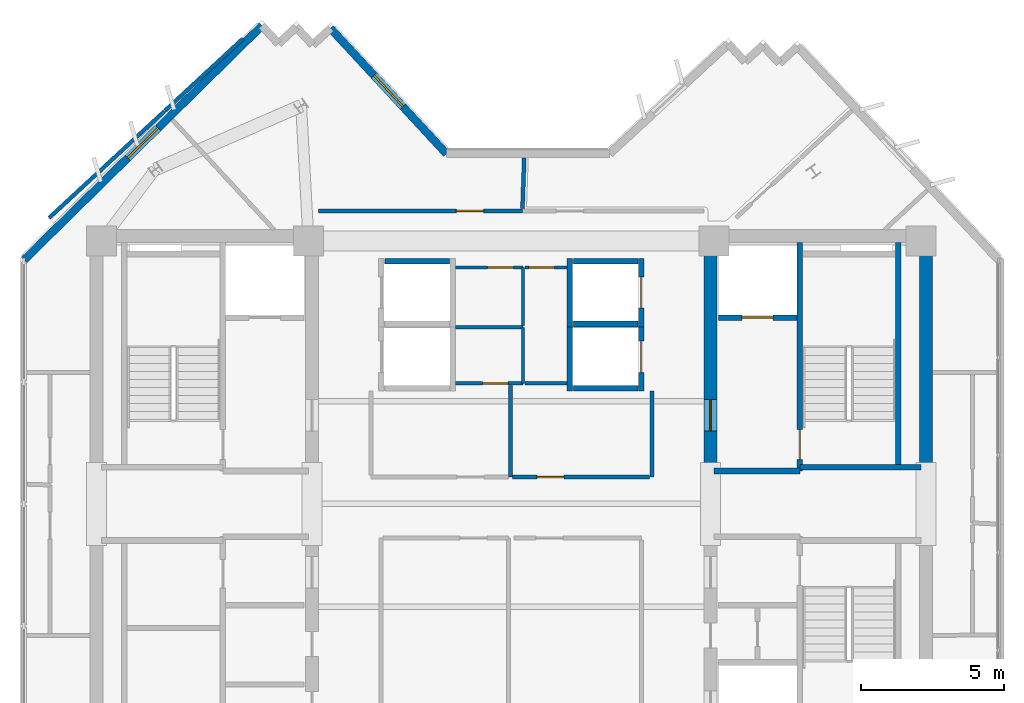
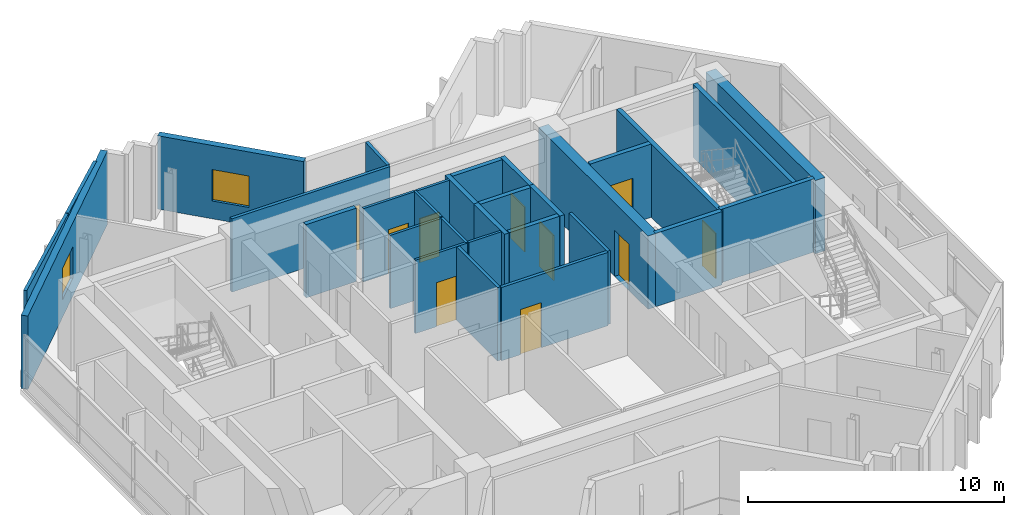
# One storey, part 6 of 9: 31 walls, 10 doors, 2 windows, 12 openings.
"""IFC4 building model written with IfcOpenShell, lengths in metres."""

from ifc_helpers import new_model, si_unit, direction, frame, frame_2d, origin, place, context, subcontext, project, spatial, rectangle, extrude, source, transform, mapped, material, layer, layer_set, type_object, element, fill, save


model = new_model("IFC4")

# Units and contexts
model_context = context("Model", 3, precision=1e-05, world=origin(), true_north=direction((0.0, 1.0)))
body_context = subcontext(model_context, "Body", "Model", "MODEL_VIEW")
ifc_project = project(units=[si_unit("LENGTHUNIT", "METRE"), si_unit("AREAUNIT", "SQUARE_METRE"), si_unit("VOLUMEUNIT", "CUBIC_METRE"), si_unit("PLANEANGLEUNIT", "RADIAN"), si_unit("MASSUNIT", "GRAM", prefix="KILO")], contexts=[model_context])

# Site, building, storey
site_placement = place(None, origin())
site = spatial("IfcSite", under=ifc_project, at=site_placement, CompositionType="ELEMENT")
building_placement = place(site_placement, origin())
building = spatial("IfcBuilding", under=site, at=building_placement, Name="Zahravan Cultural Tower", CompositionType="ELEMENT")
storey_placement = place(building_placement, frame((0.0, 0.0, 291.60009765625)))
storey = spatial("IfcBuildingStorey", under=building, at=storey_placement, Name="L70", CompositionType="ELEMENT", Elevation=291.60009765625)

# Wall, opening, door
ifc_material_1 = material(Name="Concrete C50/60", Category="concrete")
ifc_layer_1 = layer(ifc_material_1, 0.449951171875)
ifc_layer_set_1 = layer_set([ifc_layer_1], Name="Concrete C50/60")
wall_type_1 = type_object("IfcWallType", Name="CW-SHEAR-450-C50", PredefinedType="SHEAR", material=ifc_layer_set_1)
wall_1_placement = place(storey_placement, frame((42.97509765625, 28.050048828125, 0.0), z_axis=(0.0, 0.0, 1.0), x_axis=(0.0, 1.0, 0.0)))
wall_1 = element("IfcWall", 1, at=wall_1_placement, inside=storey, type_object=wall_type_1, Name="L70 Core Shear Wall CW-E-WN-L70", PredefinedType="SHEAR", context=body_context, shape_type="SweptSolid", body=[
    extrude(rectangle(XDim=8.550048828125, YDim=0.449951171875, at=frame_2d((4.27490234375, 0.0))), origin(), (0.0, 0.0, 1.0), 3.5),
])
opening_1_placement = place(wall_1_placement, frame((1.5, 0.0, 0.0)))
opening_1 = element("IfcOpeningElement", 2, at=opening_1_placement, cuts=wall_1, Name="Opening D-L70-07", PredefinedType="OPENING", context=body_context, shape_type="SweptSolid", body=[
    extrude(rectangle(XDim=1.10009765625, YDim=2.199951171875, at=frame_2d((0.550048828125, 1.10009765625))), frame((0.0, 0.23486328125, 0.0), z_axis=(0.0, -1.0, 0.0), x_axis=(1.0, 0.0, 0.0)), (0.0, 0.0, 1.0), 0.469970703125),
])
ifc_material_2 = material(Name="Steel ASTM A572 Grade 50", Category="steel")
door_type_1 = type_object("IfcDoorType", Name="DR-LOBBY-1100", OperationType="NOTDEFINED", PredefinedType="DOOR", material=ifc_material_2)
shared_shape_1 = source(origin(), body_context, "Body", "SweptSolid", [
    extrude(rectangle(XDim=1.10009765625, YDim=2.199951171875, at=frame_2d((0.550048828125, 1.10009765625))), frame((0.0, 0.02490234375, 0.0), z_axis=(0.0, -1.0, 0.0), x_axis=(1.0, 0.0, 0.0)), (0.0, 0.0, 1.0), 0.050048828125),
])
door_1_placement = place(opening_1_placement, origin())
door_1 = element("IfcDoor", 3, at=door_1_placement, inside=storey, type_object=door_type_1, Name="L70 Door D-L70-07", OperationType="SINGLE_SWING_RIGHT", OverallHeight=2.199951171875, OverallWidth=1.10009765625, PredefinedType="DOOR", context=body_context, shape_type="MappedRepresentation", body=[
    mapped(shared_shape_1, transform((0.0, 0.0, 0.0), x_axis=(1.0, 0.0, 0.0), y_axis=(0.0, 1.0, 0.0), z_axis=(0.0, 0.0, 1.0), scale=1.0)),
])
fill(opening_1, door_1)

# Wall, opening, window
ifc_material_3 = material(Name="Precast concrete C40/50", Category="concrete")
ifc_layer_2 = layer(ifc_material_3, 0.280029296875)
ifc_layer_set_2 = layer_set([ifc_layer_2], Name="Precast concrete C40/50")
wall_type_2 = type_object("IfcWallType", Name="EW-TC-280", PredefinedType="SOLIDWALL", material=ifc_layer_set_2)
wall_2_placement = place(storey_placement, frame((18.93994140625, 35.5419921875, 0.0), z_axis=(0.0, 0.0, 1.0), x_axis=(0.712557502542, 0.701613715353, 0.0)))
wall_2 = element("IfcWall", 4, at=wall_2_placement, inside=storey, type_object=wall_type_2, Name="L70 Exterior Masonry Frame Wall 20", PredefinedType="SOLIDWALL", context=body_context, shape_type="SweptSolid", body=[
    extrude(rectangle(XDim=11.689697265625, YDim=0.280029296875, at=frame_2d((5.8447265625, 0.0))), origin(), (0.0, 0.0, 1.0), 3.5),
])
opening_2_placement = place(wall_2_placement, frame((5.094970703125, 0.0, 0.85009765625)))
opening_2 = element("IfcOpeningElement", 5, at=opening_2_placement, cuts=wall_2, Name="Opening WN-03", PredefinedType="OPENING", context=body_context, shape_type="SweptSolid", body=[
    extrude(rectangle(XDim=1.5, YDim=1.5, at=frame_2d((0.75, 0.75))), frame((0.0, 0.14990234375, 0.0), z_axis=(0.0, -1.0, 0.0), x_axis=(1.0, 0.0, 0.0)), (0.0, 0.0, 1.0), 0.300048828125),
])
ifc_material_4 = material(Name="Low-E solar-control double glazing", Category="glass")
window_type = type_object("IfcWindowType", Name="WN-REC-1500X1500", PartitioningType="SINGLE_PANEL", PredefinedType="WINDOW", material=ifc_material_4)
shared_shape_2 = source(origin(), body_context, "Body", "SweptSolid", [
    extrude(rectangle(XDim=1.5, YDim=1.5, at=frame_2d((0.75, 0.75))), frame((0.0, 0.030029296875, 0.0), z_axis=(0.0, -1.0, 0.0), x_axis=(1.0, 0.0, 0.0)), (0.0, 0.0, 1.0), 0.06005859375),
])
window_1_placement = place(opening_2_placement, origin())
window_1 = element("IfcWindow", 6, at=window_1_placement, inside=storey, type_object=window_type, Name="L70 Recessed Solar Window 04", OverallHeight=1.5, OverallWidth=1.5, PartitioningType="SINGLE_PANEL", PredefinedType="WINDOW", context=body_context, shape_type="MappedRepresentation", body=[
    mapped(shared_shape_2, transform((0.0, 0.0, 0.0), x_axis=(1.0, 0.0, 0.0), y_axis=(0.0, 1.0, 0.0), z_axis=(0.0, 0.0, 1.0), scale=1.0)),
])
fill(opening_2, window_1)

wall_3_placement = place(storey_placement, frame((29.672119140625, 43.64990234375, 0.0), z_axis=(0.0, 0.0, 1.0), x_axis=(0.679010627727, -0.734128440693, 0.0)))
wall_3 = element("IfcWall", 7, at=wall_3_placement, inside=storey, type_object=wall_type_2, Name="L70 Exterior Masonry Frame Wall 25", PredefinedType="SOLIDWALL", context=body_context, shape_type="SweptSolid", body=[
    extrude(rectangle(XDim=5.979736328125, YDim=0.280029296875, at=frame_2d((2.98974609375, 0.0))), origin(), (0.0, 0.0, 1.0), 3.5),
])
opening_3_placement = place(wall_3_placement, frame((2.239990234375, 0.0, 0.85009765625)))
opening_3 = element("IfcOpeningElement", 8, at=opening_3_placement, cuts=wall_3, Name="Opening WN-03", PredefinedType="OPENING", context=body_context, shape_type="SweptSolid", body=[
    extrude(rectangle(XDim=1.5, YDim=1.5, at=frame_2d((0.75, 0.75))), frame((0.0, 0.14990234375, 0.0), z_axis=(0.0, -1.0, 0.0), x_axis=(1.0, 0.0, 0.0)), (0.0, 0.0, 1.0), 0.300048828125),
])
window_2_placement = place(opening_3_placement, origin())
window_2 = element("IfcWindow", 9, at=window_2_placement, inside=storey, type_object=window_type, Name="L70 Recessed Solar Window 05", OverallHeight=1.5, OverallWidth=1.5, PartitioningType="SINGLE_PANEL", PredefinedType="WINDOW", context=body_context, shape_type="MappedRepresentation", body=[
    mapped(shared_shape_2, transform((0.0, 0.0, 0.0), x_axis=(1.0, 0.0, 0.0), y_axis=(0.0, 1.0, 0.0), z_axis=(0.0, 0.0, 1.0), scale=1.0)),
])
fill(opening_3, window_2)

# Wall, opening, door
ifc_material_5 = material(Name="Gypsum plasterboard partition")
ifc_layer_3 = layer(ifc_material_5, 0.139892578125)
ifc_layer_set_3 = layer_set([ifc_layer_3], Name="Gypsum plasterboard partition")
wall_type_3 = type_object("IfcWallType", Name="W-PART-140", PredefinedType="PARTITIONING", material=ifc_layer_set_3)
wall_4_placement = place(storey_placement, frame((40.844970703125, 27.93994140625, 0.0), z_axis=(0.0, 0.0, 1.0), x_axis=(-1.0, 0.0, 0.0)))
wall_4 = element("IfcWall", 10, at=wall_4_placement, inside=storey, type_object=wall_type_3, Name="L70 Interior Wall 060", PredefinedType="PARTITIONING", context=body_context, shape_type="SweptSolid", body=[
    extrude(rectangle(XDim=4.800048828125, YDim=0.139892578125, at=frame_2d((2.39990234375, 0.0))), origin(), (0.0, 0.0, 1.0), 3.5),
])
opening_4_placement = place(wall_4_placement, frame((3.0029296875, 0.0, 0.0)))
opening_4 = element("IfcOpeningElement", 11, at=opening_4_placement, cuts=wall_4, Name="Opening D-L70-19", PredefinedType="OPENING", context=body_context, shape_type="SweptSolid", body=[
    extrude(rectangle(XDim=0.949951171875, YDim=2.14990234375, at=frame_2d((0.47509765625, 1.074951171875))), frame((0.0, 0.079833984375, 0.0), z_axis=(0.0, -1.0, 0.0), x_axis=(1.0, 0.0, 0.0)), (0.0, 0.0, 1.0), 0.159912109375),
])
ifc_material_6 = material(Name="Anodised bronze-aluminium mullion", Category="aluminium")
door_type_2 = type_object("IfcDoorType", Name="DR-ROOM-950", OperationType="NOTDEFINED", PredefinedType="DOOR", material=ifc_material_6)
shared_shape_3 = source(origin(), body_context, "Body", "SweptSolid", [
    extrude(rectangle(XDim=0.949951171875, YDim=2.14990234375, at=frame_2d((0.47509765625, 1.074951171875))), frame((0.0, 0.02490234375, 0.0), z_axis=(0.0, -1.0, 0.0), x_axis=(1.0, 0.0, 0.0)), (0.0, 0.0, 1.0), 0.050048828125),
])
door_2_placement = place(opening_4_placement, origin())
door_2 = element("IfcDoor", 12, at=door_2_placement, inside=storey, type_object=door_type_2, Name="L70 Door D-L70-19", OperationType="SINGLE_SWING_RIGHT", OverallHeight=2.14990234375, OverallWidth=0.949951171875, PredefinedType="DOOR", context=body_context, shape_type="MappedRepresentation", body=[
    mapped(shared_shape_3, transform((0.0, 0.0, 0.0), x_axis=(1.0, 0.0, 0.0), y_axis=(0.0, 1.0, 0.0), z_axis=(0.0, 0.0, 1.0), scale=1.0)),
])
fill(opening_4, door_2)

wall_5_placement = place(storey_placement, frame((36.39013671875, 37.260009765625, 0.0), z_axis=(0.0, 0.0, 1.0), x_axis=(-0.999999997659, -6.8420512e-05, 0.0)))
wall_5 = element("IfcWall", 13, at=wall_5_placement, inside=storey, type_object=wall_type_3, Name="L70 Interior Wall 095", PredefinedType="PARTITIONING", context=body_context, shape_type="SweptSolid", body=[
    extrude(rectangle(XDim=7.136474609375, YDim=0.139892578125, at=frame_2d((3.568359375, 0.0))), origin(), (0.0, 0.0, 1.0), 3.5),
])
opening_5_placement = place(wall_5_placement, frame((1.361083984375, 0.0, 0.0)))
opening_5 = element("IfcOpeningElement", 14, at=opening_5_placement, cuts=wall_5, Name="Opening D-L70-22", PredefinedType="OPENING", context=body_context, shape_type="SweptSolid", body=[
    extrude(rectangle(XDim=0.949951171875, YDim=2.14990234375, at=frame_2d((0.47509765625, 1.074951171875))), frame((0.0, 0.079833984375, 0.0), z_axis=(0.0, -1.0, 0.0), x_axis=(1.0, 0.0, 0.0)), (0.0, 0.0, 1.0), 0.159912109375),
])
door_3_placement = place(opening_5_placement, origin())
door_3 = element("IfcDoor", 15, at=door_3_placement, inside=storey, type_object=door_type_2, Name="L70 Door D-L70-22", OperationType="SINGLE_SWING_LEFT", OverallHeight=2.14990234375, OverallWidth=0.949951171875, PredefinedType="DOOR", context=body_context, shape_type="MappedRepresentation", body=[
    mapped(shared_shape_3, transform((0.0, 0.0, 0.0), x_axis=(1.0, 0.0, 0.0), y_axis=(0.0, 1.0, 0.0), z_axis=(0.0, 0.0, 1.0), scale=1.0)),
])
fill(opening_5, door_3)

ifc_material_7 = material(Name="Concrete C45/55", Category="concrete")
ifc_layer_4 = layer(ifc_material_7, 0.199951171875)
ifc_layer_set_4 = layer_set([ifc_layer_4], Name="Concrete C45/55")
wall_type_4 = type_object("IfcWallType", Name="W-SHAFT-200", PredefinedType="SOLIDWALL", material=ifc_layer_set_4)
wall_6_placement = place(storey_placement, frame((46.10009765625, 28.14990234375, 0.0), z_axis=(0.0, 0.0, 1.0), x_axis=(0.0, 1.0, 0.0)))
wall_6 = element("IfcWall", 16, at=wall_6_placement, inside=storey, type_object=wall_type_4, Name="L70 Interior Wall 008", PredefinedType="SOLIDWALL", context=body_context, shape_type="SweptSolid", body=[
    extrude(rectangle(XDim=8.0, YDim=0.199951171875, at=frame_2d((4.0, 0.0))), origin(), (0.0, 0.0, 1.0), 3.5),
])
opening_6_placement = place(wall_6_placement, frame((0.39990234375, 0.0, 0.0)))
opening_6 = element("IfcOpeningElement", 17, at=opening_6_placement, cuts=wall_6, Name="Opening D-L70-02", PredefinedType="OPENING", context=body_context, shape_type="SweptSolid", body=[
    extrude(rectangle(XDim=1.050048828125, YDim=2.14990234375, at=frame_2d((0.52490234375, 1.074951171875))), frame((0.0, 0.10986328125, 0.0), z_axis=(0.0, -1.0, 0.0), x_axis=(1.0, 0.0, 0.0)), (0.0, 0.0, 1.0), 0.219970703125),
])
door_type_3 = type_object("IfcDoorType", Name="DR-STAIR-1050", OperationType="NOTDEFINED", PredefinedType="DOOR", material=ifc_material_2)
shared_shape_4 = source(origin(), body_context, "Body", "SweptSolid", [
    extrude(rectangle(XDim=1.050048828125, YDim=2.14990234375, at=frame_2d((0.52490234375, 1.074951171875))), frame((0.0, 0.02490234375, 0.0), z_axis=(0.0, -1.0, 0.0), x_axis=(1.0, 0.0, 0.0)), (0.0, 0.0, 1.0), 0.050048828125),
])
door_4_placement = place(opening_6_placement, origin())
door_4 = element("IfcDoor", 18, at=door_4_placement, inside=storey, type_object=door_type_3, Name="L70 Door D-L70-02", OperationType="SINGLE_SWING_LEFT", OverallHeight=2.14990234375, OverallWidth=1.050048828125, PredefinedType="DOOR", context=body_context, shape_type="MappedRepresentation", body=[
    mapped(shared_shape_4, transform((0.0, 0.0, 0.0), x_axis=(1.0, 0.0, 0.0), y_axis=(0.0, 1.0, 0.0), z_axis=(0.0, 0.0, 1.0), scale=1.0)),
])
fill(opening_6, door_4)

wall_7_placement = place(storey_placement, frame((43.25, 33.52001953125, 0.0), z_axis=(0.0, 0.0, 1.0), x_axis=(1.0, 0.0, 0.0)))
wall_7 = element("IfcWall", 19, at=wall_7_placement, inside=storey, type_object=wall_type_4, Name="L70 Interior Wall 023", PredefinedType="SOLIDWALL", context=body_context, shape_type="SweptSolid", body=[
    extrude(rectangle(XDim=2.75, YDim=0.199951171875, at=frame_2d((1.375, 0.0))), origin(), (0.0, 0.0, 1.0), 3.5),
])
opening_7_placement = place(wall_7_placement, frame((0.820068359375, 0.0, 0.0)))
opening_7 = element("IfcOpeningElement", 20, at=opening_7_placement, cuts=wall_7, Name="Opening LD-L70-02", PredefinedType="OPENING", context=body_context, shape_type="SweptSolid", body=[
    extrude(rectangle(XDim=1.10009765625, YDim=2.14990234375, at=frame_2d((0.550048828125, 1.074951171875))), frame((0.0, 0.10986328125, 0.0), z_axis=(0.0, -1.0, 0.0), x_axis=(1.0, 0.0, 0.0)), (0.0, 0.0, 1.0), 0.219970703125),
])
door_type_4 = type_object("IfcDoorType", Name="DR-LIFT-1100", OperationType="DOUBLE_DOOR_SLIDING", PredefinedType="DOOR", material=ifc_material_2)
shared_shape_5 = source(origin(), body_context, "Body", "SweptSolid", [
    extrude(rectangle(XDim=1.10009765625, YDim=2.14990234375, at=frame_2d((0.550048828125, 1.074951171875))), frame((0.0, 0.02490234375, 0.0), z_axis=(0.0, -1.0, 0.0), x_axis=(1.0, 0.0, 0.0)), (0.0, 0.0, 1.0), 0.050048828125),
])
door_5_placement = place(opening_7_placement, origin())
door_5 = element("IfcDoor", 21, at=door_5_placement, inside=storey, type_object=door_type_4, Name="L70 Door LD-L70-02", OperationType="DOUBLE_DOOR_SLIDING", OverallHeight=2.14990234375, OverallWidth=1.10009765625, PredefinedType="DOOR", context=body_context, shape_type="MappedRepresentation", body=[
    mapped(shared_shape_5, transform((0.0, 0.0, 0.0), x_axis=(1.0, 0.0, 0.0), y_axis=(0.0, 1.0, 0.0), z_axis=(0.0, 0.0, 1.0), scale=1.0)),
])
fill(opening_7, door_5)

wall_8_placement = place(storey_placement, frame((40.550048828125, 33.199951171875, 0.0), z_axis=(0.0, 0.0, 1.0), x_axis=(0.0, 1.0, 0.0)))
wall_8 = element("IfcWall", 22, at=wall_8_placement, inside=storey, type_object=wall_type_4, Name="L70 Interior Wall 037", PredefinedType="SOLIDWALL", context=body_context, shape_type="SweptSolid", body=[
    extrude(rectangle(XDim=2.400146484375, YDim=0.199951171875, at=frame_2d((1.2001953125, 0.0))), origin(), (0.0, 0.0, 1.0), 3.5),
])
opening_8_placement = place(wall_8_placement, frame((0.64990234375, 0.0, 0.0)))
opening_8 = element("IfcOpeningElement", 23, at=opening_8_placement, cuts=wall_8, Name="Opening LD-L70-06", PredefinedType="OPENING", context=body_context, shape_type="SweptSolid", body=[
    extrude(rectangle(XDim=1.10009765625, YDim=2.14990234375, at=frame_2d((0.550048828125, 1.074951171875))), frame((0.0, 0.10986328125, 0.0), z_axis=(0.0, -1.0, 0.0), x_axis=(1.0, 0.0, 0.0)), (0.0, 0.0, 1.0), 0.219970703125),
])
door_6_placement = place(opening_8_placement, origin())
door_6 = element("IfcDoor", 24, at=door_6_placement, inside=storey, type_object=door_type_4, Name="L70 Door LD-L70-06", OperationType="DOUBLE_DOOR_SLIDING", OverallHeight=2.14990234375, OverallWidth=1.10009765625, PredefinedType="DOOR", context=body_context, shape_type="MappedRepresentation", body=[
    mapped(shared_shape_5, transform((0.0, 0.0, 0.0), x_axis=(1.0, 0.0, 0.0), y_axis=(0.0, 1.0, 0.0), z_axis=(0.0, 0.0, 1.0), scale=1.0)),
])
fill(opening_8, door_6)

wall_9_placement = place(storey_placement, frame((40.550048828125, 30.949951171875, 0.0), z_axis=(0.0, 0.0, 1.0), x_axis=(0.0, 1.0, 0.0)))
wall_9 = element("IfcWall", 25, at=wall_9_placement, inside=storey, type_object=wall_type_4, Name="L70 Interior Wall 041", PredefinedType="SOLIDWALL", context=body_context, shape_type="SweptSolid", body=[
    extrude(rectangle(XDim=2.400146484375, YDim=0.199951171875, at=frame_2d((1.2001953125, 0.0))), origin(), (0.0, 0.0, 1.0), 3.5),
])
opening_9_placement = place(wall_9_placement, frame((0.64990234375, 0.0, 0.0)))
opening_9 = element("IfcOpeningElement", 26, at=opening_9_placement, cuts=wall_9, Name="Opening LD-L70-07", PredefinedType="OPENING", context=body_context, shape_type="SweptSolid", body=[
    extrude(rectangle(XDim=1.10009765625, YDim=2.14990234375, at=frame_2d((0.550048828125, 1.074951171875))), frame((0.0, 0.10986328125, 0.0), z_axis=(0.0, -1.0, 0.0), x_axis=(1.0, 0.0, 0.0)), (0.0, 0.0, 1.0), 0.219970703125),
])
door_7_placement = place(opening_9_placement, origin())
door_7 = element("IfcDoor", 27, at=door_7_placement, inside=storey, type_object=door_type_4, Name="L70 Door LD-L70-07", OperationType="DOUBLE_DOOR_SLIDING", OverallHeight=2.14990234375, OverallWidth=1.10009765625, PredefinedType="DOOR", context=body_context, shape_type="MappedRepresentation", body=[
    mapped(shared_shape_5, transform((0.0, 0.0, 0.0), x_axis=(1.0, 0.0, 0.0), y_axis=(0.0, 1.0, 0.0), z_axis=(0.0, 0.0, 1.0), scale=1.0)),
])
fill(opening_9, door_7)

ifc_layer_5 = layer(ifc_material_5, 0.114990234375)
ifc_layer_set_5 = layer_set([ifc_layer_5], Name="Gypsum plasterboard partition")
wall_type_5 = type_object("IfcWallType", Name="W-WC-115", PredefinedType="PARTITIONING", material=ifc_layer_set_5)
wall_10_placement = place(storey_placement, frame((36.409912109375, 31.219970703125, 0.0), z_axis=(0.0, 0.0, 1.0), x_axis=(-1.0, 0.0, 0.0)))
wall_10 = element("IfcWall", 28, at=wall_10_placement, inside=storey, type_object=wall_type_5, Name="L70 Interior Wall 043", PredefinedType="PARTITIONING", context=body_context, shape_type="SweptSolid", body=[
    extrude(rectangle(XDim=2.35498046875, YDim=0.114990234375, at=frame_2d((1.177490234375, 0.0))), origin(), (0.0, 0.0, 1.0), 3.5),
])
opening_10_placement = place(wall_10_placement, frame((0.5166015625, 0.0, 0.0)))
opening_10 = element("IfcOpeningElement", 29, at=opening_10_placement, cuts=wall_10, Name="Opening D-L70-28", PredefinedType="OPENING", context=body_context, shape_type="SweptSolid", body=[
    extrude(rectangle(XDim=0.89990234375, YDim=2.10009765625, at=frame_2d((0.449951171875, 1.050048828125))), frame((0.0, 0.0673828125, 0.0), z_axis=(0.0, -1.0, 0.0), x_axis=(1.0, 0.0, 0.0)), (0.0, 0.0, 1.0), 0.135009765625),
])
door_type_5 = type_object("IfcDoorType", Name="DR-WC-900", OperationType="NOTDEFINED", PredefinedType="DOOR", material=ifc_material_6)
shared_shape_6 = source(origin(), body_context, "Body", "SweptSolid", [
    extrude(rectangle(XDim=0.89990234375, YDim=2.10009765625, at=frame_2d((0.449951171875, 1.050048828125))), frame((0.0, 0.02490234375, 0.0), z_axis=(0.0, -1.0, 0.0), x_axis=(1.0, 0.0, 0.0)), (0.0, 0.0, 1.0), 0.050048828125),
])
door_8_placement = place(opening_10_placement, origin())
door_8 = element("IfcDoor", 30, at=door_8_placement, inside=storey, type_object=door_type_5, Name="L70 Door D-L70-28", OperationType="SINGLE_SWING_LEFT", OverallHeight=2.10009765625, OverallWidth=0.89990234375, PredefinedType="DOOR", context=body_context, shape_type="MappedRepresentation", body=[
    mapped(shared_shape_6, transform((0.0, 0.0, 0.0), x_axis=(1.0, 0.0, 0.0), y_axis=(0.0, 1.0, 0.0), z_axis=(0.0, 0.0, 1.0), scale=1.0)),
])
fill(opening_10, door_8)

wall_11_placement = place(storey_placement, frame((34.054931640625, 35.280029296875, 0.0), z_axis=(0.0, 0.0, 1.0), x_axis=(1.0, 0.0, 0.0)))
wall_11 = element("IfcWall", 31, at=wall_11_placement, inside=storey, type_object=wall_type_5, Name="L70 Interior Wall 046", PredefinedType="PARTITIONING", context=body_context, shape_type="SweptSolid", body=[
    extrude(rectangle(XDim=2.35498046875, YDim=0.114990234375, at=frame_2d((1.177490234375, 0.0))), origin(), (0.0, 0.0, 1.0), 3.5),
])
opening_11_placement = place(wall_11_placement, frame((1.120849609375, 0.0, 0.0)))
opening_11 = element("IfcOpeningElement", 32, at=opening_11_placement, cuts=wall_11, Name="Opening D-L70-16", PredefinedType="OPENING", context=body_context, shape_type="SweptSolid", body=[
    extrude(rectangle(XDim=0.89990234375, YDim=2.10009765625, at=frame_2d((0.449951171875, 1.050048828125))), frame((0.0, 0.0673828125, 0.0), z_axis=(0.0, -1.0, 0.0), x_axis=(1.0, 0.0, 0.0)), (0.0, 0.0, 1.0), 0.135009765625),
])
door_9_placement = place(opening_11_placement, origin())
door_9 = element("IfcDoor", 33, at=door_9_placement, inside=storey, type_object=door_type_5, Name="L70 Door D-L70-16", OperationType="SINGLE_SWING_LEFT", OverallHeight=2.10009765625, OverallWidth=0.89990234375, PredefinedType="DOOR", context=body_context, shape_type="MappedRepresentation", body=[
    mapped(shared_shape_6, transform((0.0, 0.0, 0.0), x_axis=(1.0, 0.0, 0.0), y_axis=(0.0, 1.0, 0.0), z_axis=(0.0, 0.0, 1.0), scale=1.0)),
])
fill(opening_11, door_9)

wall_12_placement = place(storey_placement, frame((36.472412109375, 35.280029296875, 0.0), z_axis=(0.0, 0.0, 1.0), x_axis=(1.0, 0.0, 0.0)))
wall_12 = element("IfcWall", 34, at=wall_12_placement, inside=storey, type_object=wall_type_5, Name="L70 Interior Wall 049", PredefinedType="PARTITIONING", context=body_context, shape_type="SweptSolid", body=[
    extrude(rectangle(XDim=1.47265625, YDim=0.114990234375, at=frame_2d((0.736328125, 0.0))), origin(), (0.0, 0.0, 1.0), 3.5),
])
opening_12_placement = place(wall_12_placement, frame((0.139892578125, 0.0, 0.0)))
opening_12 = element("IfcOpeningElement", 35, at=opening_12_placement, cuts=wall_12, Name="Opening D-L70-17", PredefinedType="OPENING", context=body_context, shape_type="SweptSolid", body=[
    extrude(rectangle(XDim=0.89990234375, YDim=2.10009765625, at=frame_2d((0.449951171875, 1.050048828125))), frame((0.0, 0.0673828125, 0.0), z_axis=(0.0, -1.0, 0.0), x_axis=(1.0, 0.0, 0.0)), (0.0, 0.0, 1.0), 0.135009765625),
])
door_10_placement = place(opening_12_placement, origin())
door_10 = element("IfcDoor", 36, at=door_10_placement, inside=storey, type_object=door_type_5, Name="L70 Door D-L70-17", OperationType="SINGLE_SWING_RIGHT", OverallHeight=2.10009765625, OverallWidth=0.89990234375, PredefinedType="DOOR", context=body_context, shape_type="MappedRepresentation", body=[
    mapped(shared_shape_6, transform((0.0, 0.0, 0.0), x_axis=(1.0, 0.0, 0.0), y_axis=(0.0, 1.0, 0.0), z_axis=(0.0, 0.0, 1.0), scale=1.0)),
])
fill(opening_12, door_10)

# Walls
shared_shape_7 = source(origin(), body_context, "Body", "SweptSolid", [
    extrude(rectangle(XDim=8.550048828125, YDim=0.449951171875, at=frame_2d((4.27490234375, 0.0))), origin(), (0.0, 0.0, 1.0), 3.5),
])
wall_13_placement = place(storey_placement, frame((50.52490234375, 28.050048828125, 0.0), z_axis=(0.0, 0.0, 1.0), x_axis=(0.0, 1.0, 0.0)))
element("IfcWall", 37, at=wall_13_placement, inside=storey, type_object=wall_type_1, Name="L70 Core Shear Wall CW-E-EN-L70", PredefinedType="SHEAR", context=body_context, shape_type="MappedRepresentation", body=[
    mapped(shared_shape_7, transform((0.0, 0.0, 0.0), x_axis=(1.0, 0.0, 0.0), y_axis=(0.0, 1.0, 0.0), z_axis=(0.0, 0.0, 1.0), scale=1.0)),
])
shared_shape_8 = source(origin(), body_context, "Body", "SweptSolid", [
    extrude(rectangle(XDim=7.869873046875, YDim=0.199951171875, at=frame_2d((3.93505859375, 0.0))), origin(), (0.0, 0.0, 1.0), 3.5),
])
wall_14_placement = place(storey_placement, frame((49.550048828125, 28.280029296875, 0.0), z_axis=(0.0, 0.0, 1.0), x_axis=(0.0, 1.0, 0.0)))
element("IfcWall", 38, at=wall_14_placement, inside=storey, type_object=wall_type_4, Name="L70 Interior Wall 004", PredefinedType="SOLIDWALL", context=body_context, shape_type="MappedRepresentation", body=[
    mapped(shared_shape_8, transform((0.0, 0.0, 0.0), x_axis=(1.0, 0.0, 0.0), y_axis=(0.0, 1.0, 0.0), z_axis=(0.0, 0.0, 1.0), scale=1.0)),
])
shared_shape_9 = source(origin(), body_context, "Body", "SweptSolid", [
    extrude(rectangle(XDim=4.25, YDim=0.199951171875, at=frame_2d((2.125, 0.0))), origin(), (0.0, 0.0, 1.0), 3.5),
])
wall_15_placement = place(storey_placement, frame((46.10009765625, 28.284912109375, 0.0), z_axis=(0.0, 0.0, 1.0), x_axis=(1.0, 0.0, 0.0)))
element("IfcWall", 39, at=wall_15_placement, inside=storey, type_object=wall_type_4, Name="L70 Interior Wall 016", PredefinedType="SOLIDWALL", context=body_context, shape_type="MappedRepresentation", body=[
    mapped(shared_shape_9, transform((0.0, 0.0, 0.0), x_axis=(1.0, 0.0, 0.0), y_axis=(0.0, 1.0, 0.0), z_axis=(0.0, 0.0, 1.0), scale=1.0)),
])
shared_shape_10 = source(origin(), body_context, "Body", "SweptSolid", [
    extrude(rectangle(XDim=3.0, YDim=0.199951171875, at=frame_2d((1.5, 0.0))), origin(), (0.0, 0.0, 1.0), 3.5),
])
wall_16_placement = place(storey_placement, frame((43.10009765625, 28.14990234375, 0.0), z_axis=(0.0, 0.0, 1.0), x_axis=(1.0, 0.0, 0.0)))
element("IfcWall", 40, at=wall_16_placement, inside=storey, type_object=wall_type_4, Name="L70 Interior Wall 015", PredefinedType="SOLIDWALL", context=body_context, shape_type="MappedRepresentation", body=[
    mapped(shared_shape_10, transform((0.0, 0.0, 0.0), x_axis=(1.0, 0.0, 0.0), y_axis=(0.0, 1.0, 0.0), z_axis=(0.0, 0.0, 1.0), scale=1.0)),
])
shared_shape_11 = source(origin(), body_context, "Body", "SweptSolid", [
    extrude(rectangle(XDim=2.400146484375, YDim=0.199951171875, at=frame_2d((1.2001953125, 0.0))), origin(), (0.0, 0.0, 1.0), 3.5),
])
for number, where, z_axis, x_axis, name in (
    (41, (38.050048828125, 33.199951171875, 0.0), (0.0, 0.0, 1.0), (0.0, 1.0, 0.0), "L70 Interior Wall 036"),
    (42, (38.050048828125, 30.949951171875, 0.0), (0.0, 0.0, 1.0), (0.0, 1.0, 0.0), "L70 Interior Wall 040"),
):
    element("IfcWall", number, at=place(storey_placement, frame(where, z_axis=z_axis, x_axis=x_axis)), inside=storey, type_object=wall_type_4, Name=name, PredefinedType="SOLIDWALL", context=body_context, shape_type="MappedRepresentation", body=[
        mapped(shared_shape_11, transform((0.0, 0.0, 0.0), x_axis=(1.0, 0.0, 0.0), y_axis=(0.0, 1.0, 0.0), z_axis=(0.0, 0.0, 1.0), scale=1.0)),
    ])
shared_shape_12 = source(origin(), body_context, "Body", "SweptSolid", [
    extrude(rectangle(XDim=2.260009765625, YDim=0.199951171875, at=frame_2d((1.1298828125, 0.0))), origin(), (0.0, 0.0, 1.0), 3.5),
])
for number, where, z_axis, x_axis, name in (
    (43, (31.570068359375, 35.5, 0.0), (0.0, 0.0, 1.0), (1.0, 0.0, 0.0), "L70 Interior Wall 032"),
    (44, (38.169921875, 33.300048828125, 0.0), (0.0, 0.0, 1.0), (1.0, 0.0, 0.0), "L70 Interior Wall 038"),
    (45, (38.169921875, 35.5, 0.0), (0.0, 0.0, 1.0), (1.0, 0.0, 0.0), "L70 Interior Wall 039"),
    (46, (38.169921875, 31.050048828125, 0.0), (0.0, 0.0, 1.0), (1.0, 0.0, 0.0), "L70 Interior Wall 042"),
):
    element("IfcWall", number, at=place(storey_placement, frame(where, z_axis=z_axis, x_axis=x_axis)), inside=storey, type_object=wall_type_4, Name=name, PredefinedType="SOLIDWALL", context=body_context, shape_type="MappedRepresentation", body=[
        mapped(shared_shape_12, transform((0.0, 0.0, 0.0), x_axis=(1.0, 0.0, 0.0), y_axis=(0.0, 1.0, 0.0), z_axis=(0.0, 0.0, 1.0), scale=1.0)),
    ])
shared_shape_13 = source(origin(), body_context, "Body", "SweptSolid", [
    extrude(rectangle(XDim=1.9599609375, YDim=0.114990234375, at=frame_2d((0.97998046875, 0.0))), origin(), (0.0, 0.0, 1.0), 3.5),
])
wall_17_placement = place(storey_placement, frame((36.409912109375, 33.179931640625, 0.0), z_axis=(0.0, 0.0, 1.0), x_axis=(0.0, -1.0, 0.0)))
element("IfcWall", 47, at=wall_17_placement, inside=storey, type_object=wall_type_5, Name="L70 Interior Wall 045", PredefinedType="PARTITIONING", context=body_context, shape_type="MappedRepresentation", body=[
    mapped(shared_shape_13, transform((0.0, 0.0, 0.0), x_axis=(1.0, 0.0, 0.0), y_axis=(0.0, 1.0, 0.0), z_axis=(0.0, 0.0, 1.0), scale=1.0)),
])
shared_shape_14 = source(origin(), body_context, "Body", "SweptSolid", [
    extrude(rectangle(XDim=2.0400390625, YDim=0.114990234375, at=frame_2d((1.02001953125, 0.0))), origin(), (0.0, 0.0, 1.0), 3.5),
])
wall_18_placement = place(storey_placement, frame((36.409912109375, 35.280029296875, 0.0), z_axis=(0.0, 0.0, 1.0), x_axis=(0.0, -1.0, 0.0)))
element("IfcWall", 48, at=wall_18_placement, inside=storey, type_object=wall_type_5, Name="L70 Interior Wall 047", PredefinedType="PARTITIONING", context=body_context, shape_type="MappedRepresentation", body=[
    mapped(shared_shape_14, transform((0.0, 0.0, 0.0), x_axis=(1.0, 0.0, 0.0), y_axis=(0.0, 1.0, 0.0), z_axis=(0.0, 0.0, 1.0), scale=1.0)),
])
shared_shape_15 = source(origin(), body_context, "Body", "SweptSolid", [
    extrude(rectangle(XDim=1.47265625, YDim=0.114990234375, at=frame_2d((0.736328125, 0.0))), origin(), (0.0, 0.0, 1.0), 3.5),
])
wall_19_placement = place(storey_placement, frame((37.945068359375, 31.219970703125, 0.0), z_axis=(0.0, 0.0, 1.0), x_axis=(-1.0, 0.0, 0.0)))
element("IfcWall", 49, at=wall_19_placement, inside=storey, type_object=wall_type_5, Name="L70 Interior Wall 048", PredefinedType="PARTITIONING", context=body_context, shape_type="MappedRepresentation", body=[
    mapped(shared_shape_15, transform((0.0, 0.0, 0.0), x_axis=(1.0, 0.0, 0.0), y_axis=(0.0, 1.0, 0.0), z_axis=(0.0, 0.0, 1.0), scale=1.0)),
])
shared_shape_16 = source(origin(), body_context, "Body", "SweptSolid", [
    extrude(rectangle(XDim=3.010009765625, YDim=0.139892578125, at=frame_2d((1.5048828125, 0.0))), origin(), (0.0, 0.0, 1.0), 3.5),
])
wall_20_placement = place(storey_placement, frame((40.919921875, 30.949951171875, 0.0), z_axis=(0.0, 0.0, 1.0), x_axis=(0.0, -1.0, 0.0)))
element("IfcWall", 50, at=wall_20_placement, inside=storey, type_object=wall_type_3, Name="L70 Interior Wall 059", PredefinedType="PARTITIONING", context=body_context, shape_type="MappedRepresentation", body=[
    mapped(shared_shape_16, transform((0.0, 0.0, 0.0), x_axis=(1.0, 0.0, 0.0), y_axis=(0.0, 1.0, 0.0), z_axis=(0.0, 0.0, 1.0), scale=1.0)),
])
shared_shape_17 = source(origin(), body_context, "Body", "SweptSolid", [
    extrude(rectangle(XDim=2.35498046875, YDim=0.114990234375, at=frame_2d((1.177490234375, 0.0))), origin(), (0.0, 0.0, 1.0), 3.5),
])
wall_21_placement = place(storey_placement, frame((34.054931640625, 33.179931640625, 0.0), z_axis=(0.0, 0.0, 1.0), x_axis=(1.0, 0.0, 0.0)))
element("IfcWall", 51, at=wall_21_placement, inside=storey, type_object=wall_type_5, Name="L70 Interior Wall 044", PredefinedType="PARTITIONING", context=body_context, shape_type="MappedRepresentation", body=[
    mapped(shared_shape_17, transform((0.0, 0.0, 0.0), x_axis=(1.0, 0.0, 0.0), y_axis=(0.0, 1.0, 0.0), z_axis=(0.0, 0.0, 1.0), scale=1.0)),
])
shared_shape_18 = source(origin(), body_context, "Body", "SweptSolid", [
    extrude(rectangle(XDim=3.199951171875, YDim=0.139892578125, at=frame_2d((1.60009765625, 0.0))), origin(), (0.0, 0.0, 1.0), 3.5),
])
wall_22_placement = place(storey_placement, frame((35.969970703125, 31.139892578125, 0.0), z_axis=(0.0, 0.0, 1.0), x_axis=(0.0, -1.0, 0.0)))
element("IfcWall", 52, at=wall_22_placement, inside=storey, type_object=wall_type_3, Name="L70 Interior Wall 056", PredefinedType="PARTITIONING", context=body_context, shape_type="MappedRepresentation", body=[
    mapped(shared_shape_18, transform((0.0, 0.0, 0.0), x_axis=(1.0, 0.0, 0.0), y_axis=(0.0, 1.0, 0.0), z_axis=(0.0, 0.0, 1.0), scale=1.0)),
])
shared_shape_19 = source(origin(), body_context, "Body", "SweptSolid", [
    extrude(rectangle(XDim=5.49951171875, YDim=0.139892578125, at=frame_2d((2.749755859375, 0.0))), origin(), (0.0, 0.0, 1.0), 3.5),
])
wall_23_placement = place(storey_placement, frame((19.81787109375, 37.014892578125, 0.0), z_axis=(0.0, 0.0, 1.0), x_axis=(0.734137611872, 0.679000711954, 0.0)))
element("IfcWall", 53, at=wall_23_placement, inside=storey, type_object=wall_type_3, Name="L70 Interior Wall 078", PredefinedType="PARTITIONING", context=body_context, shape_type="MappedRepresentation", body=[
    mapped(shared_shape_19, transform((0.0, 0.0, 0.0), x_axis=(1.0, 0.0, 0.0), y_axis=(0.0, 1.0, 0.0), z_axis=(0.0, 0.0, 1.0), scale=1.0)),
])
shared_shape_20 = source(origin(), body_context, "Body", "SweptSolid", [
    extrude(rectangle(XDim=1.781005859375, YDim=0.139892578125, at=frame_2d((0.890625, 0.0))), origin(), (0.0, 0.0, 1.0), 3.5),
])
wall_24_placement = place(storey_placement, frame((36.392822265625, 37.3349609375, 0.0), z_axis=(0.0, 0.0, 1.0), x_axis=(0.034268709891, 0.999412655274, 0.0)))
element("IfcWall", 54, at=wall_24_placement, inside=storey, type_object=wall_type_3, Name="L70 Interior Wall 093", PredefinedType="PARTITIONING", context=body_context, shape_type="MappedRepresentation", body=[
    mapped(shared_shape_20, transform((0.0, 0.0, 0.0), x_axis=(1.0, 0.0, 0.0), y_axis=(0.0, 1.0, 0.0), z_axis=(0.0, 0.0, 1.0), scale=1.0)),
])
shared_shape_21 = source(origin(), body_context, "Body", "SweptSolid", [
    extrude(rectangle(XDim=3.721923828125, YDim=0.139892578125, at=frame_2d((1.86083984375, 0.0))), origin(), (0.0, 0.0, 1.0), 3.5),
])
wall_25_placement = place(storey_placement, frame((23.869873046875, 40.7626953125, 0.0), z_axis=(0.0, 0.0, 1.0), x_axis=(0.734119057589, 0.679020772352, 0.0)))
element("IfcWall", 55, at=wall_25_placement, inside=storey, type_object=wall_type_3, Name="L70 Interior Wall 094", PredefinedType="PARTITIONING", context=body_context, shape_type="MappedRepresentation", body=[
    mapped(shared_shape_21, transform((0.0, 0.0, 0.0), x_axis=(1.0, 0.0, 0.0), y_axis=(0.0, 1.0, 0.0), z_axis=(0.0, 0.0, 1.0), scale=1.0)),
])

save(model, "model.ifc")
